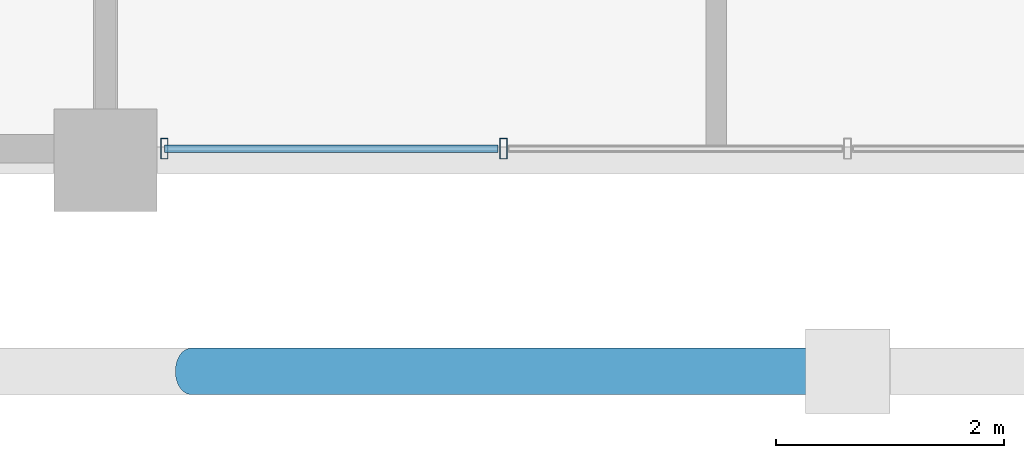
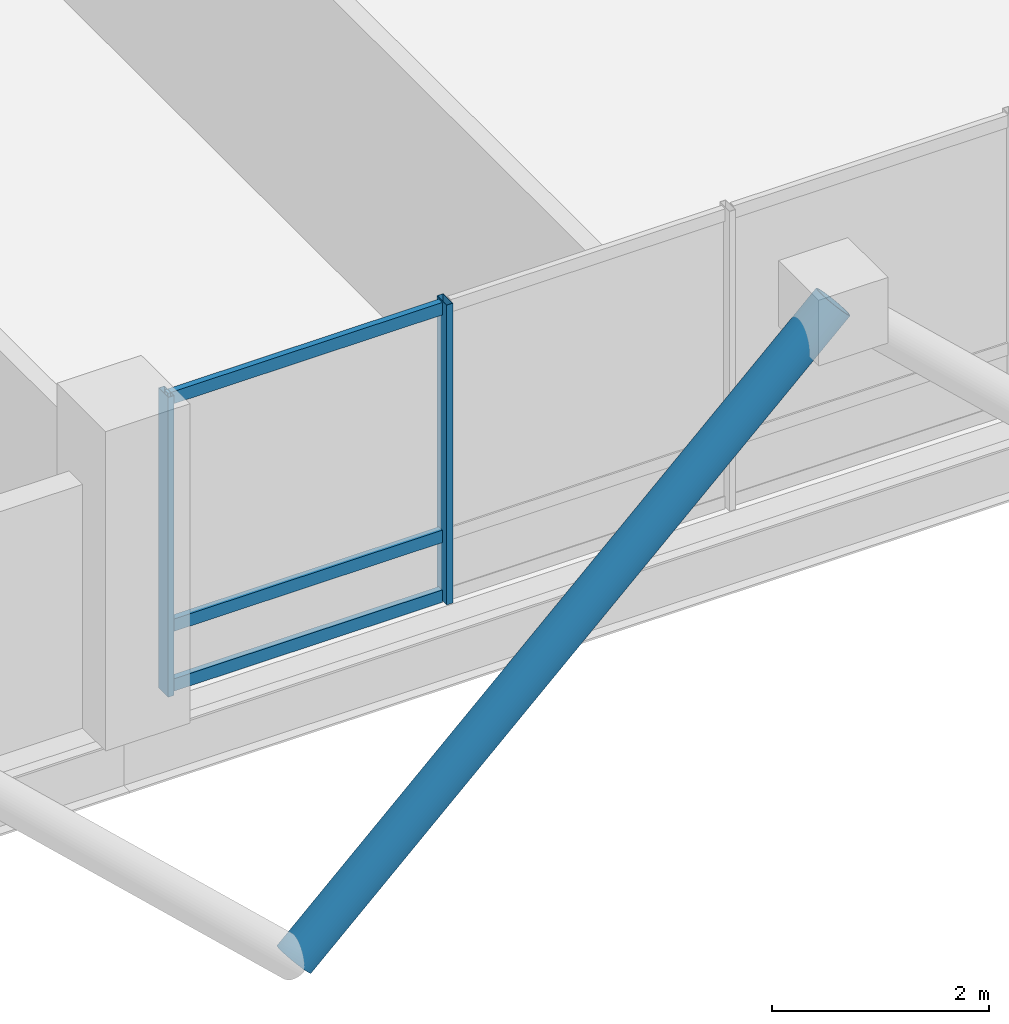
# One storey, part 2 of 23: 6 members, 1 element without a shape of its own.
"""IFC4 building model written with IfcOpenShell, lengths in metres."""

from ifc_helpers import new_model, si_unit, direction, frame, origin, origin_2d, place, context, subcontext, project, spatial, hollow_rectangle, hollow_circle, extrude, material, layer, layer_set, material_profile, profile_set, type_object, element, aggregate, save


model = new_model("IFC4")

# Units and contexts
model_context = context("Model", 3, precision=1e-05, world=origin(), true_north=direction((0.0, 1.0)))
body_context = subcontext(model_context, "Body", "Model", "MODEL_VIEW")
ifc_project = project(units=[si_unit("LENGTHUNIT", "METRE"), si_unit("AREAUNIT", "SQUARE_METRE"), si_unit("VOLUMEUNIT", "CUBIC_METRE"), si_unit("PLANEANGLEUNIT", "RADIAN"), si_unit("MASSUNIT", "GRAM", prefix="KILO")], contexts=[model_context])

# Site, building, storey
site_placement = place(None, origin())
site = spatial("IfcSite", under=ifc_project, at=site_placement, CompositionType="ELEMENT")
building_placement = place(site_placement, origin())
building = spatial("IfcBuilding", under=site, at=building_placement, Name="Barlavira Tower and Art Museum", CompositionType="ELEMENT")
storey_placement = place(building_placement, frame((0.0, 0.0, 247.5)))
storey = spatial("IfcBuildingStorey", under=building, at=storey_placement, Name="L64", CompositionType="ELEMENT", Elevation=247.5)

# Curtain wall, members
ifc_material_1 = material(Name="Low-iron coastal laminated glass", Category="glass")
ifc_layer = layer(ifc_material_1, 0.2099609375, Name="Low-iron coastal laminated glass")
ifc_layer_set = layer_set([ifc_layer], Name="Low-iron coastal laminated glass")
curtain_wall_type = type_object("IfcCurtainWallType", Name="Pale-Metal Unitised Curtain Wall Zone 4", PredefinedType="NOTDEFINED", material=ifc_layer_set)
curtain_wall_placement = place(storey_placement, origin())
curtain_wall = element("IfcCurtainWall", 1, at=curtain_wall_placement, inside=storey, type_object=curtain_wall_type, Name="L64 Curtain Wall CW4-L64-S-B2", PredefinedType="NOTDEFINED")
ifc_material_2 = material(Name="Pale anodised aluminium", Category="aluminium")
ifc_material_profile_1 = material_profile(ifc_material_2, hollow_rectangle(XDim=0.06494140625, YDim=0.179931640625, WallThickness=0.00390625, at=origin_2d()), Name="ALU-MULL 65x180x4")
ifc_profile_set_1 = profile_set([ifc_material_profile_1], Name="Pale anodised aluminium")
member_type_1 = type_object("IfcMemberType", Name="Curtain Wall Pale-Metal Mullion 65x180", PredefinedType="MULLION", material=ifc_profile_set_1)
member_1_placement = place(storey_placement, frame((-5.985107421875, -19.89990234375, 0.0), z_axis=(0.0, 0.0, 1.0), x_axis=(1.0, 0.0, 0.0)))
member_1 = element("IfcMember", 2, at=member_1_placement, type_object=member_type_1, Name="CW4-L64-S-B2 Mullion 0", PredefinedType="MULLION", context=body_context, shape_type="SweptSolid", body=[
    extrude(hollow_rectangle(XDim=0.06494140625, YDim=0.179931640625, WallThickness=0.00390625, at=origin_2d()), origin(), (0.0, 0.0, 1.0), 3.3798828125),
])
member_2_placement = place(storey_placement, frame((-3.014892578125, -19.89990234375, 0.0), z_axis=(0.0, 0.0, 1.0), x_axis=(1.0, 0.0, 0.0)))
member_2 = element("IfcMember", 3, at=member_2_placement, type_object=member_type_1, Name="CW4-L64-S-B2 Mullion 1", PredefinedType="MULLION", context=body_context, shape_type="SweptSolid", body=[
    extrude(hollow_rectangle(XDim=0.06494140625, YDim=0.179931640625, WallThickness=0.00390625, at=origin_2d()), origin(), (0.0, 0.0, 1.0), 3.3798828125),
])
ifc_material_profile_2 = material_profile(ifc_material_2, hollow_rectangle(XDim=0.06494140625, YDim=0.139892578125, WallThickness=0.00390625, at=origin_2d()), Name="ALU-TRAN 65x140x4")
ifc_profile_set_2 = profile_set([ifc_material_profile_2], Name="Pale anodised aluminium")
member_type_2 = type_object("IfcMemberType", Name="Curtain Wall Pale-Metal Transom 65x140", PredefinedType="USERDEFINED", material=ifc_profile_set_2)
member_3_placement = place(storey_placement, frame((-5.985107421875, -19.89990234375, 0.070068359375), z_axis=(1.0, 0.0, 0.0), x_axis=(0.0, 1.0, 0.0)))
member_3 = element("IfcMember", 4, at=member_3_placement, type_object=member_type_2, Name="CW4-L64-S-B2 Transom 0.1", ObjectType="TRANSOM", PredefinedType="USERDEFINED", context=body_context, shape_type="SweptSolid", body=[
    extrude(hollow_rectangle(XDim=0.06494140625, YDim=0.139892578125, WallThickness=0.00390625, at=origin_2d()), origin(), (0.0, 0.0, 1.0), 2.925048828125),
])
member_4_placement = place(storey_placement, frame((-5.985107421875, -19.89990234375, 0.743896484375), z_axis=(1.0, 0.0, 0.0), x_axis=(0.0, 1.0, 0.0)))
member_4 = element("IfcMember", 5, at=member_4_placement, type_object=member_type_2, Name="CW4-L64-S-B2 Transom 0.2", ObjectType="TRANSOM", PredefinedType="USERDEFINED", context=body_context, shape_type="SweptSolid", body=[
    extrude(hollow_rectangle(XDim=0.06494140625, YDim=0.139892578125, WallThickness=0.00390625, at=origin_2d()), origin(), (0.0, 0.0, 1.0), 2.925048828125),
])
member_5_placement = place(storey_placement, frame((-5.985107421875, -19.89990234375, 3.31005859375), z_axis=(1.0, 0.0, 0.0), x_axis=(0.0, 1.0, 0.0)))
member_5 = element("IfcMember", 6, at=member_5_placement, type_object=member_type_2, Name="CW4-L64-S-B2 Transom 0.3", ObjectType="TRANSOM", PredefinedType="USERDEFINED", context=body_context, shape_type="SweptSolid", body=[
    extrude(hollow_rectangle(XDim=0.06494140625, YDim=0.139892578125, WallThickness=0.00390625, at=origin_2d()), origin(), (0.0, 0.0, 1.0), 2.925048828125),
])
aggregate(curtain_wall, [member_1, member_2, member_3, member_4, member_5])

# Member
ifc_material_3 = material(Name="Steel S355", Category="steel")
ifc_material_profile_3 = material_profile(ifc_material_3, hollow_circle(Radius=0.203125, WallThickness=0.01611328125, at=origin_2d()), Name="CHS 406.4x16.0")
ifc_profile_set_3 = profile_set([ifc_material_profile_3], Name="Steel S355")
member_type_3 = type_object("IfcMemberType", Name="Pale-Metal Exoskeleton Diagrid Tube CHS 406x16 Steel S355", PredefinedType="BRACE", material=ifc_profile_set_3)
member_6_placement = place(storey_placement, frame((-5.75, -21.85009765625, -1.919921875), z_axis=(0.728950095515, 0.0, 0.684566839869), x_axis=(0.0, 1.0, 0.0)))
element("IfcMember", 7, at=member_6_placement, inside=storey, type_object=member_type_3, Name="L64 Exoskeleton Diagrid Tube S", PredefinedType="BRACE", context=body_context, shape_type="SweptSolid", body=[
    extrude(hollow_circle(Radius=0.203125, WallThickness=0.01611328125, at=origin_2d()), origin(), (0.0, 0.0, 1.0), 7.887939453125),
])

save(model, "model.ifc")
